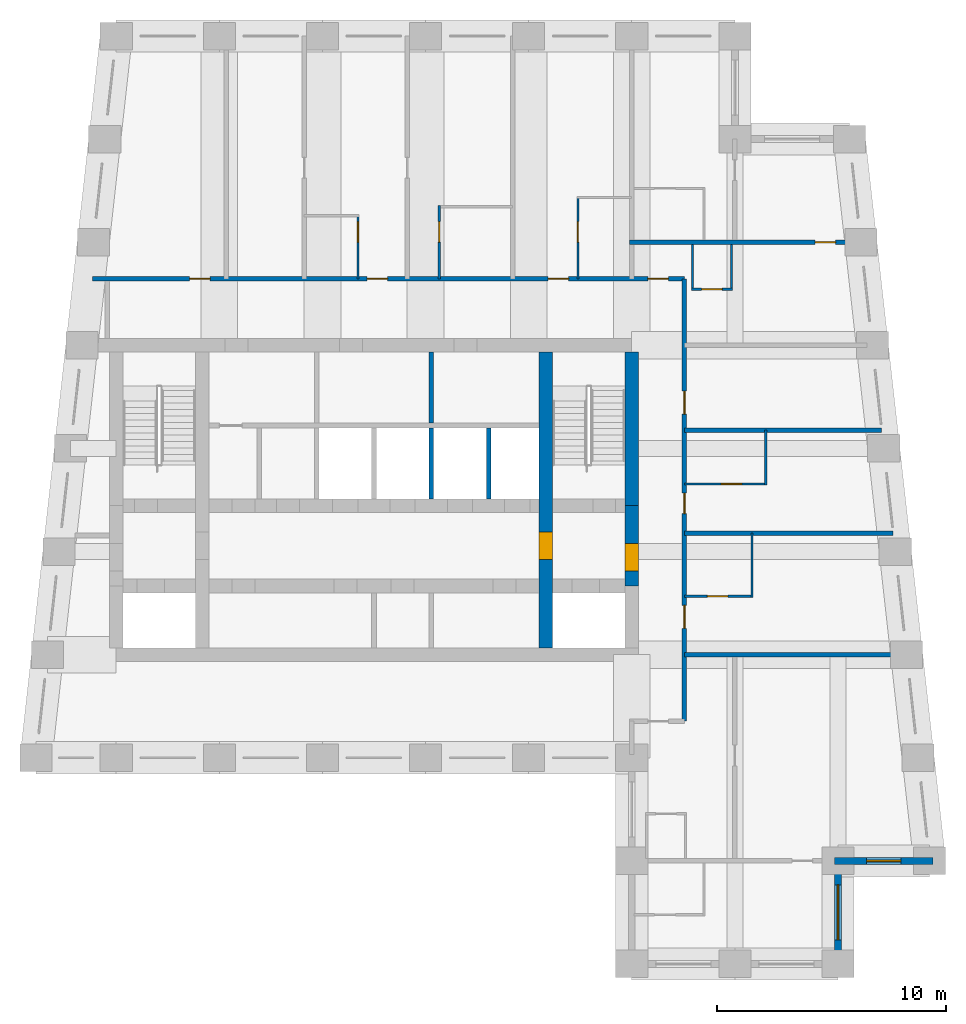
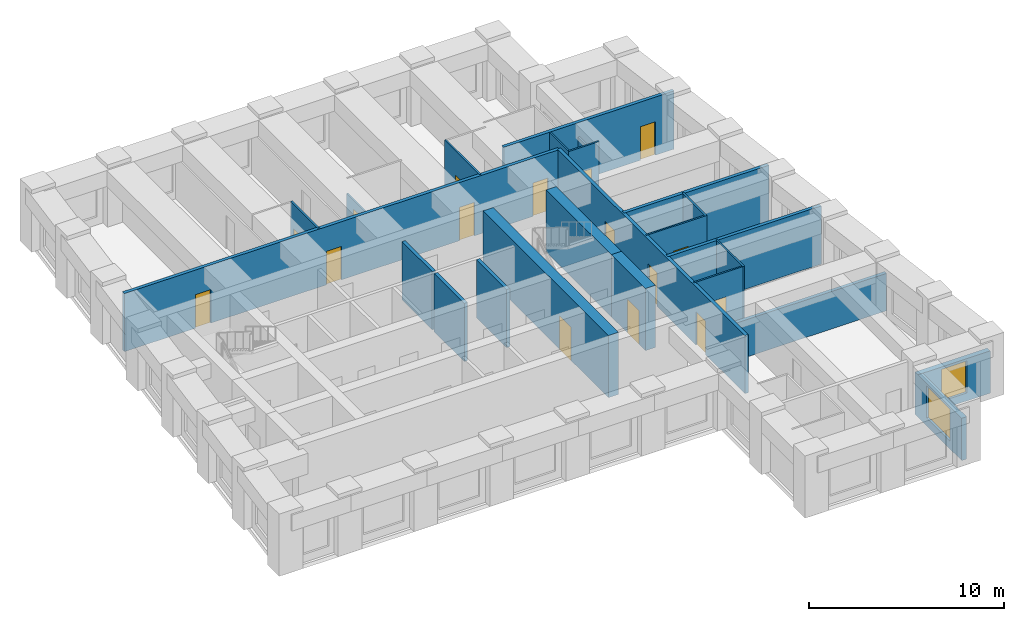
# One storey, part 4 of 7: 24 walls, 16 doors, 2 windows, 18 openings.
"""IFC4 building model written with IfcOpenShell, lengths in metres."""

import ifcopenshell
import ifcopenshell.guid

model = None  # the IFC model being written
_history = None  # IfcOwnerHistory: only IFC2X3 demands one
_inside = {}  # id of a spatial element -> (the spatial element, [elements in it])
_under = {}  # id of a project, library or spatial element -> (it, [spatial elements below it])
_declared = {}  # id of a project -> (the project, [libraries it declares])
_typed = {}  # id of a type object -> (the type object, [elements of that type])
_made_of = {}  # id of a material, layer set ... -> (it, [elements and type objects made of it])


def new_model(schema):
    """Start an empty IFC model of exactly this schema.

    Asked for "IFC4X3", IfcOpenShell would pick the latest addendum, in which some entities
    have other attributes; the version numbers below select the first issue.
    IFC2X3 requires an IfcOwnerHistory on every rooted entity: one is made here for all.
    """
    global model, _history
    if schema == "IFC4X3":
        model = ifcopenshell.file(schema_version=(4, 3, 0, 0))
    else:
        model = ifcopenshell.file(schema=schema)
    _inside.clear()
    _under.clear()
    _declared.clear()
    _typed.clear()
    _made_of.clear()
    _history = None
    if model.schema == "IFC2X3":
        org = make("IfcOrganization", Name="unknown")
        user = make(
            "IfcPersonAndOrganization",
            ThePerson=make("IfcPerson", FamilyName="unknown"),
            TheOrganization=org,
        )
        app = make(
            "IfcApplication",
            ApplicationDeveloper=org,
            Version="unknown",
            ApplicationFullName="unknown",
            ApplicationIdentifier="unknown",
        )
        _history = make(
            "IfcOwnerHistory",
            OwningUser=user,
            OwningApplication=app,
            ChangeAction="ADDED",
            CreationDate=0,
        )
    return model


def make(cls, **values):
    """One entity of the class cls with the attributes given. An attribute that is None is left unset."""
    return model.create_entity(
        cls, **{name: value for name, value in values.items() if value is not None}
    )


def rooted(cls, **values):
    """An entity with a GlobalId (a new one), such as an element, a storey or a relation."""
    return make(cls, GlobalId=ifcopenshell.guid.new(), OwnerHistory=_history, **values)


def si_unit(unit_type, name, prefix=None):
    """IfcSIUnit, for example si_unit("LENGTHUNIT", "METRE", prefix="MILLI")."""
    return make("IfcSIUnit", UnitType=unit_type, Prefix=prefix, Name=name)


def assignment(units):
    """IfcUnitAssignment: the units of a project."""
    return None if units is None else make("IfcUnitAssignment", Units=units)


def point(xyz):
    """IfcCartesianPoint."""
    return None if xyz is None else make("IfcCartesianPoint", Coordinates=xyz)


def direction(xyz):
    """IfcDirection."""
    return None if xyz is None else make("IfcDirection", DirectionRatios=xyz)


def frame(location, z_axis=None, x_axis=None):
    """IfcAxis2Placement3D, a coordinate frame: its origin and axes. An axis left out is left unset."""
    return make(
        "IfcAxis2Placement3D",
        Location=point(location),
        Axis=direction(z_axis),
        RefDirection=direction(x_axis),
    )


def frame_2d(location, x_axis=None):
    """IfcAxis2Placement2D, a coordinate frame in the plane: its origin and x axis."""
    return make(
        "IfcAxis2Placement2D", Location=point(location), RefDirection=direction(x_axis)
    )


def origin():
    """The frame at (0, 0, 0) with its axes left unset."""
    return frame((0.0, 0.0, 0.0))


def place(relative_to, where):
    """IfcLocalPlacement: puts the frame where relative to a parent placement (None: the world)."""
    return make(
        "IfcLocalPlacement", PlacementRelTo=relative_to, RelativePlacement=where
    )


def context(
    kind, dimensions, precision=None, world=None, true_north=None, identifier=None
):
    """IfcGeometricRepresentationContext, for example the 3D "Model" context."""
    return make(
        "IfcGeometricRepresentationContext",
        ContextIdentifier=identifier,
        ContextType=kind,
        CoordinateSpaceDimension=dimensions,
        Precision=precision,
        WorldCoordinateSystem=world,
        TrueNorth=true_north,
    )


def subcontext(parent, identifier, kind, view, scale=None):
    """IfcGeometricRepresentationSubContext, for example "Body" below "Model"."""
    return make(
        "IfcGeometricRepresentationSubContext",
        ContextIdentifier=identifier,
        ContextType=kind,
        ParentContext=parent,
        TargetScale=scale,
        TargetView=view,
    )


def project(units=None, contexts=None):
    """IfcProject with its units and contexts."""
    return rooted(
        "IfcProject",
        Name="project",
        RepresentationContexts=contexts,
        UnitsInContext=assignment(units),
    )


def spatial(cls, under=None, at=None, **own):
    """A site, building, storey or space (cls), placed at a placement, below another one or the project."""
    s = rooted(cls, ObjectPlacement=at, **own)
    if under is not None:
        _under.setdefault(under.id(), (under, []))[1].append(s)
    return s


def profile(cls, at=None, kind="AREA", **sizes):
    """A parametric profile (cls). Its sizes go by their IFC names, for example OverallWidth=200.0."""
    return make(cls, ProfileType=kind, Position=at, **sizes)


def rectangle(**sizes):
    """IfcRectangleProfileDef."""
    return profile("IfcRectangleProfileDef", **sizes)


def extrude(swept, where, along, depth):
    """IfcExtrudedAreaSolid: the profile swept, set in the frame where, extruded along a direction by depth."""
    return make(
        "IfcExtrudedAreaSolid",
        SweptArea=swept,
        Position=where,
        ExtrudedDirection=direction(along),
        Depth=depth,
    )


def shape(context_of_items, identifier, shape_type, items):
    """IfcShapeRepresentation: the items that make up one representation, for example the "Body"."""
    return make(
        "IfcShapeRepresentation",
        ContextOfItems=context_of_items,
        RepresentationIdentifier=identifier,
        RepresentationType=shape_type,
        Items=items,
    )


def material(Name=None, Category=None):
    """IfcMaterial."""
    return make("IfcMaterial", Name=Name, Category=Category)


def layer(
    of_material, thickness, ventilated=None, Name=None, Category=None, Priority=None
):
    """IfcMaterialLayer: one layer of a wall or slab, of a material (None: an air gap)."""
    return make(
        "IfcMaterialLayer",
        Material=of_material,
        LayerThickness=thickness,
        IsVentilated=ventilated,
        Name=Name,
        Category=Category,
        Priority=Priority,
    )


def layer_set(layers, Name=None):
    """IfcMaterialLayerSet."""
    return make("IfcMaterialLayerSet", MaterialLayers=layers, LayerSetName=Name)


def made_of(thing, what):
    """Note that an element or type object is made of a material, layer set ...; save() writes the relation."""
    if what is not None:
        _made_of.setdefault(what.id(), (what, []))[1].append(thing)
    return thing


def type_object(cls, material=None, **own):
    """A type object (cls), such as IfcWallType, which elements share."""
    return made_of(rooted(cls, **own), material)


def element(
    cls,
    number,
    at=None,
    inside=None,
    cuts=None,
    type_object=None,
    material=None,
    context=None,
    identifier="Body",
    shape_type=None,
    held_by="IfcProductDefinitionShape",
    body=None,
    shapes=None,
    **own,
):
    """One element of the class cls, such as IfcWall. Its Tag is "e" and its number.

    at: its placement. inside: the storey or other place that contains it. cuts: it is an
    opening in that element (IfcRelVoidsElement). A single representation is given by context,
    identifier, shape_type and body (its items); several are given by shapes. held_by: the class
    of the entity that holds the representations. save() writes the other relations.
    """
    e = rooted(cls, Tag="e%d" % number, ObjectPlacement=at, **own)
    if body is not None:
        shapes = [shape(context, identifier, shape_type, body)]
    if shapes is not None:
        e.Representation = make(held_by, Representations=shapes)
    if inside is not None:
        _inside.setdefault(inside.id(), (inside, []))[1].append(e)
    if cuts is not None:
        rooted(
            "IfcRelVoidsElement", RelatingBuildingElement=cuts, RelatedOpeningElement=e
        )
    if type_object is not None:
        _typed.setdefault(type_object.id(), (type_object, []))[1].append(e)
    return made_of(e, material)


def fill(opening, filler):
    """IfcRelFillsElement: the door or window that sits in an opening."""
    return rooted(
        "IfcRelFillsElement",
        RelatingOpeningElement=opening,
        RelatedBuildingElement=filler,
    )


def aggregate(whole, parts):
    """IfcRelAggregates: a whole, such as a stair, and the parts it consists of."""
    return rooted("IfcRelAggregates", RelatingObject=whole, RelatedObjects=parts)


def save(model, path):
    """Write the relations noted so far, then the file.

    IfcRelAggregates (storeys below a building ...), IfcRelContainedInSpatialStructure (elements
    in a storey), IfcRelDefinesByType, IfcRelAssociatesMaterial and IfcRelDeclares: one each for
    every whole, place, type object, material and project.
    """
    for whole, parts in _under.values():
        aggregate(whole, parts)
    for where, things in _inside.values():
        rooted(
            "IfcRelContainedInSpatialStructure",
            RelatedElements=things,
            RelatingStructure=where,
        )
    for kind, things in _typed.values():
        rooted("IfcRelDefinesByType", RelatedObjects=things, RelatingType=kind)
    for what, things in _made_of.values():
        rooted("IfcRelAssociatesMaterial", RelatedObjects=things, RelatingMaterial=what)
    for by, libraries in _declared.values():
        rooted("IfcRelDeclares", RelatingContext=by, RelatedDefinitions=libraries)
    model.write(path)


model = new_model("IFC4")

# Units and contexts
model_context = context("Model", 3, precision=1e-05, world=origin(), true_north=direction((0.0, 1.0)))
body_context = subcontext(model_context, "Body", "Model", "MODEL_VIEW")
ifc_project = project(units=[si_unit("LENGTHUNIT", "METRE"), si_unit("AREAUNIT", "SQUARE_METRE"), si_unit("VOLUMEUNIT", "CUBIC_METRE"), si_unit("PLANEANGLEUNIT", "RADIAN"), si_unit("MASSUNIT", "GRAM", prefix="KILO")], contexts=[model_context])

# Site, building, storey
site_placement = place(None, origin())
site = spatial("IfcSite", under=ifc_project, at=site_placement, CompositionType="ELEMENT")
building_placement = place(site_placement, origin())
building = spatial("IfcBuilding", under=site, at=building_placement, Name="Kilele Tower Hotel", CompositionType="ELEMENT")
storey_placement = place(building_placement, frame((0.0, 0.0, 254.60009765625)))
storey = spatial("IfcBuildingStorey", under=building, at=storey_placement, Name="L65", CompositionType="ELEMENT", Elevation=254.60009765625)

# Wall
ifc_material_1 = material(Name="Moisture-resistant board")
ifc_layer_1 = layer(ifc_material_1, 0.10009765625)
ifc_layer_set_1 = layer_set([ifc_layer_1], Name="Moisture-resistant board")
wall_type_1 = type_object("IfcWallType", Name="Bathroom partition 100", PredefinedType="PLUMBINGWALL", material=ifc_layer_set_1)
wall_1_placement = place(storey_placement, frame((41.25, 16.0, 0.0), z_axis=(0.0, 0.0, 1.0), x_axis=(0.0, 1.0, 0.0)))
element("IfcWall", 1, at=wall_1_placement, inside=storey, type_object=wall_type_1, Name="Bathroom partition 100 L65", PredefinedType="PLUMBINGWALL", context=body_context, shape_type="SweptSolid", body=[
    extrude(rectangle(XDim=2.800048828125, YDim=0.10009765625, at=frame_2d((1.39990234375, 0.0))), origin(), (0.0, 0.0, 1.0), 3.64990234375),
])

# Wall, opening, door
wall_2_placement = place(storey_placement, frame((38.300048828125, 16.050048828125, 0.0), z_axis=(0.0, 0.0, 1.0), x_axis=(1.0, 0.0, 0.0)))
wall_2 = element("IfcWall", 2, at=wall_2_placement, inside=storey, type_object=wall_type_1, Name="Bathroom partition 100 L65", PredefinedType="PLUMBINGWALL", context=body_context, shape_type="SweptSolid", body=[
    extrude(rectangle(XDim=3.0, YDim=0.10009765625, at=frame_2d((1.5, 0.0))), origin(), (0.0, 0.0, 1.0), 3.64990234375),
])
opening_1_placement = place(wall_2_placement, frame((1.89990234375, 0.0, 0.0), z_axis=(0.0, 0.0, 1.0), x_axis=(-1.0, 0.0, 0.0)))
opening_1 = element("IfcOpeningElement", 3, at=opening_1_placement, cuts=wall_2, Name="Opening D2A", PredefinedType="OPENING", context=body_context, shape_type="SweptSolid", body=[
    extrude(rectangle(XDim=0.89990234375, YDim=2.10009765625, at=frame_2d((0.449951171875, 1.050048828125))), frame((0.0, 0.06005859375, 0.0), z_axis=(0.0, -1.0, 0.0), x_axis=(1.0, 0.0, 0.0)), (0.0, 0.0, 1.0), 0.1201171875),
])
ifc_material_2 = material(Name="Timber door leaf in hardwood frame", Category="wood")
door_type_1 = type_object("IfcDoorType", Name="Bathroom door 900", OperationType="SINGLE_SWING_LEFT", PredefinedType="DOOR", material=ifc_material_2)
door_1_placement = place(opening_1_placement, origin())
door_1 = element("IfcDoor", 4, at=door_1_placement, inside=storey, type_object=door_type_1, Name="Bathroom door 6502B", OperationType="SINGLE_SWING_RIGHT", OverallHeight=2.10009765625, OverallWidth=0.89990234375, PredefinedType="DOOR", context=body_context, shape_type="SweptSolid", body=[
    extrude(rectangle(XDim=0.89990234375, YDim=2.10009765625, at=frame_2d((0.449951171875, 1.050048828125))), frame((0.0, 0.02490234375, 0.0), z_axis=(0.0, -1.0, 0.0), x_axis=(1.0, 0.0, 0.0)), (0.0, 0.0, 1.0), 0.050048828125),
])
fill(opening_1, door_1)

# Wall
wall_3_placement = place(storey_placement, frame((41.85009765625, 20.89990234375, 0.0), z_axis=(0.0, 0.0, 1.0), x_axis=(0.0, 1.0, 0.0)))
element("IfcWall", 5, at=wall_3_placement, inside=storey, type_object=wall_type_1, Name="Bathroom partition 100 L65", PredefinedType="PLUMBINGWALL", context=body_context, shape_type="SweptSolid", body=[
    extrude(rectangle(XDim=2.400146484375, YDim=0.10009765625, at=frame_2d((1.2001953125, 0.0))), origin(), (0.0, 0.0, 1.0), 3.64990234375),
])

# Wall, opening, door
wall_4_placement = place(storey_placement, frame((38.300048828125, 20.949951171875, 0.0), z_axis=(0.0, 0.0, 1.0), x_axis=(1.0, 0.0, 0.0)))
wall_4 = element("IfcWall", 6, at=wall_4_placement, inside=storey, type_object=wall_type_1, Name="Bathroom partition 100 L65", PredefinedType="PLUMBINGWALL", context=body_context, shape_type="SweptSolid", body=[
    extrude(rectangle(XDim=3.599853515625, YDim=0.10009765625, at=frame_2d((1.7998046875, 0.0))), origin(), (0.0, 0.0, 1.0), 3.64990234375),
])
opening_2_placement = place(wall_4_placement, frame((2.5, 0.0, 0.0), z_axis=(0.0, 0.0, 1.0), x_axis=(-1.0, 0.0, 0.0)))
opening_2 = element("IfcOpeningElement", 7, at=opening_2_placement, cuts=wall_4, Name="Opening D2A", PredefinedType="OPENING", context=body_context, shape_type="SweptSolid", body=[
    extrude(rectangle(XDim=0.89990234375, YDim=2.10009765625, at=frame_2d((0.449951171875, 1.050048828125))), frame((0.0, 0.06005859375, 0.0), z_axis=(0.0, -1.0, 0.0), x_axis=(1.0, 0.0, 0.0)), (0.0, 0.0, 1.0), 0.1201171875),
])
door_2_placement = place(opening_2_placement, origin())
door_2 = element("IfcDoor", 8, at=door_2_placement, inside=storey, type_object=door_type_1, Name="Bathroom door 6503B", OperationType="SINGLE_SWING_RIGHT", OverallHeight=2.10009765625, OverallWidth=0.89990234375, PredefinedType="DOOR", context=body_context, shape_type="SweptSolid", body=[
    extrude(rectangle(XDim=0.89990234375, YDim=2.10009765625, at=frame_2d((0.449951171875, 1.050048828125))), frame((0.0, 0.02490234375, 0.0), z_axis=(0.0, -1.0, 0.0), x_axis=(1.0, 0.0, 0.0)), (0.0, 0.0, 1.0), 0.050048828125),
])
fill(opening_2, door_2)

wall_5_placement = place(storey_placement, frame((24.050048828125, 29.89990234375, 0.0), z_axis=(0.0, 0.0, 1.0), x_axis=(0.0, 1.0, 0.0)))
wall_5 = element("IfcWall", 9, at=wall_5_placement, inside=storey, type_object=wall_type_1, Name="Bathroom partition 100 L65", PredefinedType="PLUMBINGWALL", context=body_context, shape_type="SweptSolid", body=[
    extrude(rectangle(XDim=2.800048828125, YDim=0.10009765625, at=frame_2d((1.39990234375, 0.0))), origin(), (0.0, 0.0, 1.0), 3.64990234375),
])
opening_3_placement = place(wall_5_placement, frame((2.5, 0.0, 0.0), z_axis=(0.0, 0.0, 1.0), x_axis=(-1.0, 0.0, 0.0)))
opening_3 = element("IfcOpeningElement", 10, at=opening_3_placement, cuts=wall_5, Name="Opening D2A", PredefinedType="OPENING", context=body_context, shape_type="SweptSolid", body=[
    extrude(rectangle(XDim=0.89990234375, YDim=2.10009765625, at=frame_2d((0.449951171875, 1.050048828125))), frame((0.0, 0.06005859375, 0.0), z_axis=(0.0, -1.0, 0.0), x_axis=(1.0, 0.0, 0.0)), (0.0, 0.0, 1.0), 0.1201171875),
])
door_3_placement = place(opening_3_placement, origin())
door_3 = element("IfcDoor", 11, at=door_3_placement, inside=storey, type_object=door_type_1, Name="Bathroom door 6507B", OperationType="SINGLE_SWING_RIGHT", OverallHeight=2.10009765625, OverallWidth=0.89990234375, PredefinedType="DOOR", context=body_context, shape_type="SweptSolid", body=[
    extrude(rectangle(XDim=0.89990234375, YDim=2.10009765625, at=frame_2d((0.449951171875, 1.050048828125))), frame((0.0, 0.02490234375, 0.0), z_axis=(0.0, -1.0, 0.0), x_axis=(1.0, 0.0, 0.0)), (0.0, 0.0, 1.0), 0.050048828125),
])
fill(opening_3, door_3)

wall_6_placement = place(storey_placement, frame((27.60009765625, 29.89990234375, 0.0), z_axis=(0.0, 0.0, 1.0), x_axis=(0.0, 1.0, 0.0)))
wall_6 = element("IfcWall", 12, at=wall_6_placement, inside=storey, type_object=wall_type_1, Name="Bathroom partition 100 L65", PredefinedType="PLUMBINGWALL", context=body_context, shape_type="SweptSolid", body=[
    extrude(rectangle(XDim=3.2001953125, YDim=0.10009765625, at=frame_2d((1.60009765625, 0.0))), origin(), (0.0, 0.0, 1.0), 2.64990234375),
])
opening_4_placement = place(wall_6_placement, frame((1.60009765625, 0.0, 0.0)))
opening_4 = element("IfcOpeningElement", 13, at=opening_4_placement, cuts=wall_6, Name="Opening D2A", PredefinedType="OPENING", context=body_context, shape_type="SweptSolid", body=[
    extrude(rectangle(XDim=0.89990234375, YDim=2.10009765625, at=frame_2d((0.449951171875, 1.050048828125))), frame((0.0, 0.06005859375, 0.0), z_axis=(0.0, -1.0, 0.0), x_axis=(1.0, 0.0, 0.0)), (0.0, 0.0, 1.0), 0.1201171875),
])
door_4_placement = place(opening_4_placement, origin())
door_4 = element("IfcDoor", 14, at=door_4_placement, inside=storey, type_object=door_type_1, Name="Bathroom door 6508B", OperationType="SINGLE_SWING_LEFT", OverallHeight=2.10009765625, OverallWidth=0.89990234375, PredefinedType="DOOR", context=body_context, shape_type="SweptSolid", body=[
    extrude(rectangle(XDim=0.89990234375, YDim=2.10009765625, at=frame_2d((0.449951171875, 1.050048828125))), frame((0.0, 0.02490234375, 0.0), z_axis=(0.0, -1.0, 0.0), x_axis=(1.0, 0.0, 0.0)), (0.0, 0.0, 1.0), 0.050048828125),
])
fill(opening_4, door_4)

wall_7_placement = place(storey_placement, frame((33.64990234375, 29.89990234375, 0.0), z_axis=(0.0, 0.0, 1.0), x_axis=(0.0, 1.0, 0.0)))
wall_7 = element("IfcWall", 15, at=wall_7_placement, inside=storey, type_object=wall_type_1, Name="Bathroom partition 100 L65", PredefinedType="PLUMBINGWALL", context=body_context, shape_type="SweptSolid", body=[
    extrude(rectangle(XDim=3.60009765625, YDim=0.10009765625, at=frame_2d((1.800048828125, 0.0))), origin(), (0.0, 0.0, 1.0), 3.64990234375),
])
opening_5_placement = place(wall_7_placement, frame((1.60009765625, 0.0, 0.0)))
opening_5 = element("IfcOpeningElement", 16, at=opening_5_placement, cuts=wall_7, Name="Opening D2A", PredefinedType="OPENING", context=body_context, shape_type="SweptSolid", body=[
    extrude(rectangle(XDim=0.89990234375, YDim=2.10009765625, at=frame_2d((0.449951171875, 1.050048828125))), frame((0.0, 0.06005859375, 0.0), z_axis=(0.0, -1.0, 0.0), x_axis=(1.0, 0.0, 0.0)), (0.0, 0.0, 1.0), 0.1201171875),
])
door_5_placement = place(opening_5_placement, origin())
door_5 = element("IfcDoor", 17, at=door_5_placement, inside=storey, type_object=door_type_1, Name="Bathroom door 6509B", OperationType="SINGLE_SWING_LEFT", OverallHeight=2.10009765625, OverallWidth=0.89990234375, PredefinedType="DOOR", context=body_context, shape_type="SweptSolid", body=[
    extrude(rectangle(XDim=0.89990234375, YDim=2.10009765625, at=frame_2d((0.449951171875, 1.050048828125))), frame((0.0, 0.02490234375, 0.0), z_axis=(0.0, -1.0, 0.0), x_axis=(1.0, 0.0, 0.0)), (0.0, 0.0, 1.0), 0.050048828125),
])
fill(opening_5, door_5)

# Walls
wall_8_placement = place(storey_placement, frame((40.35009765625, 31.39990234375, 0.0), z_axis=(0.0, 0.0, 1.0), x_axis=(0.0, -1.0, 0.0)))
element("IfcWall", 18, at=wall_8_placement, inside=storey, type_object=wall_type_1, Name="Bathroom partition 100 L65", PredefinedType="PLUMBINGWALL", context=body_context, shape_type="SweptSolid", body=[
    extrude(rectangle(XDim=2.0, YDim=0.10009765625, at=frame_2d((1.0, 0.0))), origin(), (0.0, 0.0, 1.0), 2.75),
])
wall_9_placement = place(storey_placement, frame((38.64990234375, 31.39990234375, 0.0), z_axis=(0.0, 0.0, 1.0), x_axis=(0.0, -1.0, 0.0)))
element("IfcWall", 19, at=wall_9_placement, inside=storey, type_object=wall_type_1, Name="Bathroom partition 100 L65", PredefinedType="PLUMBINGWALL", context=body_context, shape_type="SweptSolid", body=[
    extrude(rectangle(XDim=2.0, YDim=0.10009765625, at=frame_2d((1.0, 0.0))), origin(), (0.0, 0.0, 1.0), 3.64990234375),
])

# Wall, opening, door
wall_10_placement = place(storey_placement, frame((38.60009765625, 29.449951171875, 0.0), z_axis=(0.0, 0.0, 1.0), x_axis=(1.0, 0.0, 0.0)))
wall_10 = element("IfcWall", 20, at=wall_10_placement, inside=storey, type_object=wall_type_1, Name="Bathroom partition 100 L65", PredefinedType="PLUMBINGWALL", context=body_context, shape_type="SweptSolid", body=[
    extrude(rectangle(XDim=1.7998046875, YDim=0.10009765625, at=frame_2d((0.89990234375, 0.0))), origin(), (0.0, 0.0, 1.0), 3.64990234375),
])
opening_6_placement = place(wall_10_placement, frame((1.349853515625, 0.0, 0.0), z_axis=(0.0, 0.0, 1.0), x_axis=(-1.0, 0.0, 0.0)))
opening_6 = element("IfcOpeningElement", 21, at=opening_6_placement, cuts=wall_10, Name="Opening D2A", PredefinedType="OPENING", context=body_context, shape_type="SweptSolid", body=[
    extrude(rectangle(XDim=0.89990234375, YDim=2.10009765625, at=frame_2d((0.449951171875, 1.050048828125))), frame((0.0, 0.06005859375, 0.0), z_axis=(0.0, -1.0, 0.0), x_axis=(1.0, 0.0, 0.0)), (0.0, 0.0, 1.0), 0.1201171875),
])
door_6_placement = place(opening_6_placement, origin())
door_6 = element("IfcDoor", 22, at=door_6_placement, inside=storey, type_object=door_type_1, Name="Bathroom door 6513P", OperationType="SINGLE_SWING_RIGHT", OverallHeight=2.10009765625, OverallWidth=0.89990234375, PredefinedType="DOOR", context=body_context, shape_type="SweptSolid", body=[
    extrude(rectangle(XDim=0.89990234375, YDim=2.10009765625, at=frame_2d((0.449951171875, 1.050048828125))), frame((0.0, 0.02490234375, 0.0), z_axis=(0.0, -1.0, 0.0), x_axis=(1.0, 0.0, 0.0)), (0.0, 0.0, 1.0), 0.050048828125),
])
fill(opening_6, door_6)

ifc_material_3 = material(Name="Concrete C60/75", Category="concrete")
ifc_layer_2 = layer(ifc_material_3, 0.60009765625)
ifc_layer_set_2 = layer_set([ifc_layer_2], Name="Concrete C60/75")
wall_type_2 = type_object("IfcWallType", Name="Core wall 600 C60/75", PredefinedType="SHEAR", material=ifc_layer_set_2)
wall_11_placement = place(storey_placement, frame((32.25, 13.800048828125, 0.0), z_axis=(0.0, 0.0, 1.0), x_axis=(0.0, 1.0, 0.0)))
wall_11 = element("IfcWall", 23, at=wall_11_placement, inside=storey, type_object=wall_type_2, Name="Core wall IE L65", PredefinedType="SHEAR", context=body_context, shape_type="SweptSolid", body=[
    extrude(rectangle(XDim=12.89990234375, YDim=0.60009765625, at=frame_2d((6.449951171875, 0.0))), origin(), (0.0, 0.0, 1.0), 3.89990234375),
])
opening_7_placement = place(wall_11_placement, frame((5.050048828125, 0.0, 0.0), z_axis=(0.0, 0.0, 1.0), x_axis=(-1.0, 0.0, 0.0)))
opening_7 = element("IfcOpeningElement", 24, at=opening_7_placement, cuts=wall_11, Name="Opening D4", PredefinedType="OPENING", context=body_context, shape_type="SweptSolid", body=[
    extrude(rectangle(XDim=1.199951171875, YDim=2.10009765625, at=frame_2d((0.60009765625, 1.050048828125))), frame((0.0, 0.31005859375, 0.0), z_axis=(0.0, -1.0, 0.0), x_axis=(1.0, 0.0, 0.0)), (0.0, 0.0, 1.0), 0.6201171875),
])
ifc_material_4 = material(Name="Timber door leaf in hardwood frame", Category="wood")
door_type_2 = type_object("IfcDoorType", Name="Firefighting lobby door 1200", OperationType="SINGLE_SWING_LEFT", PredefinedType="DOOR", material=ifc_material_4)
door_7_placement = place(opening_7_placement, origin())
door_7 = element("IfcDoor", 25, at=door_7_placement, inside=storey, type_object=door_type_2, Name="Lobby door L65", OperationType="SINGLE_SWING_RIGHT", OverallHeight=2.10009765625, OverallWidth=1.199951171875, PredefinedType="DOOR", context=body_context, shape_type="SweptSolid", body=[
    extrude(rectangle(XDim=1.199951171875, YDim=2.10009765625, at=frame_2d((0.60009765625, 1.050048828125))), frame((0.0, 0.2998046875, 0.0), z_axis=(0.0, -1.0, 0.0), x_axis=(1.0, 0.0, 0.0)), (0.0, 0.0, 1.0), 0.599609375),
])
fill(opening_7, door_7)

wall_12_placement = place(storey_placement, frame((36.0, 16.5, 0.0), z_axis=(0.0, 0.0, 1.0), x_axis=(0.0, 1.0, 0.0)))
wall_12 = element("IfcWall", 26, at=wall_12_placement, inside=storey, type_object=wall_type_2, Name="Core wall E2 L65", PredefinedType="SHEAR", context=body_context, shape_type="SweptSolid", body=[
    extrude(rectangle(XDim=3.5, YDim=0.60009765625, at=frame_2d((1.75, 0.0))), origin(), (0.0, 0.0, 1.0), 3.89990234375),
])
opening_8_placement = place(wall_12_placement, frame((0.64990234375, 0.0, 0.0)))
opening_8 = element("IfcOpeningElement", 27, at=opening_8_placement, cuts=wall_12, Name="Opening D4", PredefinedType="OPENING", context=body_context, shape_type="SweptSolid", body=[
    extrude(rectangle(XDim=1.199951171875, YDim=2.10009765625, at=frame_2d((0.60009765625, 1.050048828125))), frame((0.0, 0.31005859375, 0.0), z_axis=(0.0, -1.0, 0.0), x_axis=(1.0, 0.0, 0.0)), (0.0, 0.0, 1.0), 0.6201171875),
])
door_8_placement = place(opening_8_placement, origin())
door_8 = element("IfcDoor", 28, at=door_8_placement, inside=storey, type_object=door_type_2, Name="Lobby door L65", OperationType="SINGLE_SWING_LEFT", OverallHeight=2.10009765625, OverallWidth=1.199951171875, PredefinedType="DOOR", context=body_context, shape_type="SweptSolid", body=[
    extrude(rectangle(XDim=1.199951171875, YDim=2.10009765625, at=frame_2d((0.60009765625, 1.050048828125))), frame((0.0, 0.2998046875, 0.0), z_axis=(0.0, -1.0, 0.0), x_axis=(1.0, 0.0, 0.0)), (0.0, 0.0, 1.0), 0.599609375),
])
fill(opening_8, door_8)

# Wall
wall_13_placement = place(storey_placement, frame((36.0, 20.0, 0.0), z_axis=(0.0, 0.0, 1.0), x_axis=(0.0, 1.0, 0.0)))
element("IfcWall", 29, at=wall_13_placement, inside=storey, type_object=wall_type_2, Name="Core wall E3 L65", PredefinedType="SHEAR", context=body_context, shape_type="SweptSolid", body=[
    extrude(rectangle(XDim=6.699951171875, YDim=0.60009765625, at=frame_2d((3.35009765625, 0.0))), origin(), (0.0, 0.0, 1.0), 3.89990234375),
])

# Wall, openings, doors
ifc_material_5 = material(Name="Blockwork, plastered both sides", Category="masonry")
ifc_layer_3 = layer(ifc_material_5, 0.199951171875)
ifc_layer_set_3 = layer_set([ifc_layer_3], Name="Blockwork, plastered both sides")
wall_type_3 = type_object("IfcWallType", Name="Corridor wall 200", PredefinedType="PARTITIONING", material=ifc_layer_set_3)
wall_14_placement = place(storey_placement, frame((12.47314453125, 29.89990234375, 0.0), z_axis=(0.0, 0.0, 1.0), x_axis=(1.0, 0.0, 0.0)))
wall_14 = element("IfcWall", 30, at=wall_14_placement, inside=storey, type_object=wall_type_3, Name="Corridor wall 200 L65", PredefinedType="PARTITIONING", context=body_context, shape_type="SweptSolid", body=[
    extrude(rectangle(XDim=25.826904296875, YDim=0.199951171875, at=frame_2d((12.91357421875, 0.0))), origin(), (0.0, 0.0, 1.0), 3.64990234375),
])
opening_9_placement = place(wall_14_placement, frame((4.226806640625, 0.0, 0.0)))
opening_9 = element("IfcOpeningElement", 31, at=opening_9_placement, cuts=wall_14, Name="Opening D1", PredefinedType="OPENING", context=body_context, shape_type="SweptSolid", body=[
    extrude(rectangle(XDim=0.89990234375, YDim=2.10009765625, at=frame_2d((0.449951171875, 1.050048828125))), frame((0.0, 0.10986328125, 0.0), z_axis=(0.0, -1.0, 0.0), x_axis=(1.0, 0.0, 0.0)), (0.0, 0.0, 1.0), 0.219970703125),
])
opening_10_placement = place(wall_14_placement, frame((11.976806640625, 0.0, 0.0)))
opening_10 = element("IfcOpeningElement", 32, at=opening_10_placement, cuts=wall_14, Name="Opening D1", PredefinedType="OPENING", context=body_context, shape_type="SweptSolid", body=[
    extrude(rectangle(XDim=0.89990234375, YDim=2.10009765625, at=frame_2d((0.449951171875, 1.050048828125))), frame((0.0, 0.10986328125, 0.0), z_axis=(0.0, -1.0, 0.0), x_axis=(1.0, 0.0, 0.0)), (0.0, 0.0, 1.0), 0.219970703125),
])
opening_11_placement = place(wall_14_placement, frame((19.876953125, 0.0, 0.0)))
opening_11 = element("IfcOpeningElement", 33, at=opening_11_placement, cuts=wall_14, Name="Opening D1", PredefinedType="OPENING", context=body_context, shape_type="SweptSolid", body=[
    extrude(rectangle(XDim=0.89990234375, YDim=2.10009765625, at=frame_2d((0.449951171875, 1.050048828125))), frame((0.0, 0.10986328125, 0.0), z_axis=(0.0, -1.0, 0.0), x_axis=(1.0, 0.0, 0.0)), (0.0, 0.0, 1.0), 0.219970703125),
])
opening_12_placement = place(wall_14_placement, frame((24.226806640625, 0.0, 0.0)))
opening_12 = element("IfcOpeningElement", 34, at=opening_12_placement, cuts=wall_14, Name="Opening D1", PredefinedType="OPENING", context=body_context, shape_type="SweptSolid", body=[
    extrude(rectangle(XDim=0.89990234375, YDim=2.10009765625, at=frame_2d((0.449951171875, 1.050048828125))), frame((0.0, 0.10986328125, 0.0), z_axis=(0.0, -1.0, 0.0), x_axis=(1.0, 0.0, 0.0)), (0.0, 0.0, 1.0), 0.219970703125),
])
ifc_material_6 = material(Name="Timber door leaf in hardwood frame", Category="wood")
door_type_3 = type_object("IfcDoorType", Name="Guest room entrance door 900", OperationType="SINGLE_SWING_LEFT", PredefinedType="DOOR", material=ifc_material_6)
door_9_placement = place(opening_9_placement, origin())
door_9 = element("IfcDoor", 35, at=door_9_placement, inside=storey, type_object=door_type_3, Name="Room entrance 6505", OperationType="SINGLE_SWING_RIGHT", OverallHeight=2.10009765625, OverallWidth=0.89990234375, PredefinedType="DOOR", context=body_context, shape_type="SweptSolid", body=[
    extrude(rectangle(XDim=0.89990234375, YDim=2.10009765625, at=frame_2d((0.449951171875, 1.050048828125))), frame((0.0, 0.02490234375, 0.0), z_axis=(0.0, -1.0, 0.0), x_axis=(1.0, 0.0, 0.0)), (0.0, 0.0, 1.0), 0.050048828125),
])
fill(opening_9, door_9)
door_10_placement = place(opening_10_placement, origin())
door_10 = element("IfcDoor", 36, at=door_10_placement, inside=storey, type_object=door_type_3, Name="Room entrance 6507", OperationType="SINGLE_SWING_LEFT", OverallHeight=2.10009765625, OverallWidth=0.89990234375, PredefinedType="DOOR", context=body_context, shape_type="SweptSolid", body=[
    extrude(rectangle(XDim=0.89990234375, YDim=2.10009765625, at=frame_2d((0.449951171875, 1.050048828125))), frame((0.0, 0.02490234375, 0.0), z_axis=(0.0, -1.0, 0.0), x_axis=(1.0, 0.0, 0.0)), (0.0, 0.0, 1.0), 0.050048828125),
])
fill(opening_10, door_10)
door_11_placement = place(opening_11_placement, origin())
door_11 = element("IfcDoor", 37, at=door_11_placement, inside=storey, type_object=door_type_3, Name="Room entrance 6509", OperationType="SINGLE_SWING_RIGHT", OverallHeight=2.10009765625, OverallWidth=0.89990234375, PredefinedType="DOOR", context=body_context, shape_type="SweptSolid", body=[
    extrude(rectangle(XDim=0.89990234375, YDim=2.10009765625, at=frame_2d((0.449951171875, 1.050048828125))), frame((0.0, 0.02490234375, 0.0), z_axis=(0.0, -1.0, 0.0), x_axis=(1.0, 0.0, 0.0)), (0.0, 0.0, 1.0), 0.050048828125),
])
fill(opening_11, door_11)
door_12_placement = place(opening_12_placement, origin())
door_12 = element("IfcDoor", 38, at=door_12_placement, inside=storey, type_object=door_type_3, Name="Room entrance 6513", OperationType="SINGLE_SWING_LEFT", OverallHeight=2.10009765625, OverallWidth=0.89990234375, PredefinedType="DOOR", context=body_context, shape_type="SweptSolid", body=[
    extrude(rectangle(XDim=0.89990234375, YDim=2.10009765625, at=frame_2d((0.449951171875, 1.050048828125))), frame((0.0, 0.02490234375, 0.0), z_axis=(0.0, -1.0, 0.0), x_axis=(1.0, 0.0, 0.0)), (0.0, 0.0, 1.0), 0.050048828125),
])
fill(opening_12, door_12)

wall_15_placement = place(storey_placement, frame((38.300048828125, 10.60009765625, 0.0), z_axis=(0.0, 0.0, 1.0), x_axis=(0.0, 1.0, 0.0)))
wall_15 = element("IfcWall", 39, at=wall_15_placement, inside=storey, type_object=wall_type_3, Name="Corridor wall 200 L65", PredefinedType="PARTITIONING", context=body_context, shape_type="SweptSolid", body=[
    extrude(rectangle(XDim=19.2998046875, YDim=0.199951171875, at=frame_2d((9.64990234375, 0.0))), origin(), (0.0, 0.0, 1.0), 3.64990234375),
])
opening_13_placement = place(wall_15_placement, frame((5.050048828125, 0.0, 0.0), z_axis=(0.0, 0.0, 1.0), x_axis=(-1.0, 0.0, 0.0)))
opening_13 = element("IfcOpeningElement", 40, at=opening_13_placement, cuts=wall_15, Name="Opening D1A", PredefinedType="OPENING", context=body_context, shape_type="SweptSolid", body=[
    extrude(rectangle(XDim=1.0, YDim=2.10009765625, at=frame_2d((0.5, 1.050048828125))), frame((0.0, 0.10986328125, 0.0), z_axis=(0.0, -1.0, 0.0), x_axis=(1.0, 0.0, 0.0)), (0.0, 0.0, 1.0), 0.219970703125),
])
opening_14_placement = place(wall_15_placement, frame((9.949951171875, 0.0, 0.0), z_axis=(0.0, 0.0, 1.0), x_axis=(-1.0, 0.0, 0.0)))
opening_14 = element("IfcOpeningElement", 41, at=opening_14_placement, cuts=wall_15, Name="Opening D1", PredefinedType="OPENING", context=body_context, shape_type="SweptSolid", body=[
    extrude(rectangle(XDim=0.89990234375, YDim=2.10009765625, at=frame_2d((0.449951171875, 1.050048828125))), frame((0.0, 0.10986328125, 0.0), z_axis=(0.0, -1.0, 0.0), x_axis=(1.0, 0.0, 0.0)), (0.0, 0.0, 1.0), 0.219970703125),
])
opening_15_placement = place(wall_15_placement, frame((14.39990234375, 0.0, 0.0), z_axis=(0.0, 0.0, 1.0), x_axis=(-1.0, 0.0, 0.0)))
opening_15 = element("IfcOpeningElement", 42, at=opening_15_placement, cuts=wall_15, Name="Opening D8", PredefinedType="OPENING", context=body_context, shape_type="SweptSolid", body=[
    extrude(rectangle(XDim=1.0, YDim=2.10009765625, at=frame_2d((0.5, 1.050048828125))), frame((0.0, 0.10986328125, 0.0), z_axis=(0.0, -1.0, 0.0), x_axis=(1.0, 0.0, 0.0)), (0.0, 0.0, 1.0), 0.219970703125),
])
ifc_material_7 = material(Name="Timber door leaf in hardwood frame", Category="wood")
door_type_4 = type_object("IfcDoorType", Name="Door 1000", OperationType="SINGLE_SWING_LEFT", PredefinedType="DOOR", material=ifc_material_7)
door_13_placement = place(opening_15_placement, origin())
door_13 = element("IfcDoor", 43, at=door_13_placement, inside=storey, type_object=door_type_4, Name="Room entrance 6504", OperationType="SINGLE_SWING_RIGHT", OverallHeight=2.10009765625, OverallWidth=1.0, PredefinedType="DOOR", context=body_context, shape_type="SweptSolid", body=[
    extrude(rectangle(XDim=1.0, YDim=2.10009765625, at=frame_2d((0.5, 1.050048828125))), frame((0.0, 0.02490234375, 0.0), z_axis=(0.0, -1.0, 0.0), x_axis=(1.0, 0.0, 0.0)), (0.0, 0.0, 1.0), 0.050048828125),
])
fill(opening_15, door_13)
ifc_material_8 = material(Name="Timber door leaf in hardwood frame", Category="wood")
door_type_5 = type_object("IfcDoorType", Name="Guest room entrance door 1000", OperationType="SINGLE_SWING_LEFT", PredefinedType="DOOR", material=ifc_material_8)
door_14_placement = place(opening_13_placement, origin())
door_14 = element("IfcDoor", 44, at=door_14_placement, inside=storey, type_object=door_type_5, Name="Room entrance 6502", OperationType="SINGLE_SWING_LEFT", OverallHeight=2.10009765625, OverallWidth=1.0, PredefinedType="DOOR", context=body_context, shape_type="SweptSolid", body=[
    extrude(rectangle(XDim=1.0, YDim=2.10009765625, at=frame_2d((0.5, 1.050048828125))), frame((0.0, 0.02490234375, 0.0), z_axis=(0.0, -1.0, 0.0), x_axis=(1.0, 0.0, 0.0)), (0.0, 0.0, 1.0), 0.050048828125),
])
fill(opening_13, door_14)
door_15_placement = place(opening_14_placement, origin())
door_15 = element("IfcDoor", 45, at=door_15_placement, inside=storey, type_object=door_type_3, Name="Room entrance 6503", OperationType="SINGLE_SWING_LEFT", OverallHeight=2.10009765625, OverallWidth=0.89990234375, PredefinedType="DOOR", context=body_context, shape_type="SweptSolid", body=[
    extrude(rectangle(XDim=0.89990234375, YDim=2.10009765625, at=frame_2d((0.449951171875, 1.050048828125))), frame((0.0, 0.02490234375, 0.0), z_axis=(0.0, -1.0, 0.0), x_axis=(1.0, 0.0, 0.0)), (0.0, 0.0, 1.0), 0.050048828125),
])
fill(opening_14, door_15)

# Walls
ifc_material_9 = material(Name="Blockwork, plastered both sides", Category="masonry")
ifc_layer_4 = layer(ifc_material_9, 0.199951171875)
ifc_layer_set_4 = layer_set([ifc_layer_4], Name="Blockwork, plastered both sides")
wall_type_4 = type_object("IfcWallType", Name="Party wall 200", PredefinedType="PARTITIONING", material=ifc_layer_set_4)
wall_16_placement = place(storey_placement, frame((38.300048828125, 18.800048828125, 0.0), z_axis=(0.0, 0.0, 1.0), x_axis=(1.0, 0.0, 0.0)))
element("IfcWall", 46, at=wall_16_placement, inside=storey, type_object=wall_type_4, Name="Party wall 200 L65", PredefinedType="PARTITIONING", context=body_context, shape_type="SweptSolid", body=[
    extrude(rectangle(XDim=9.110107421875, YDim=0.199951171875, at=frame_2d((4.55517578125, 0.0))), origin(), (0.0, 0.0, 1.0), 3.64990234375),
])
wall_17_placement = place(storey_placement, frame((38.300048828125, 23.300048828125, 0.0), z_axis=(0.0, 0.0, 1.0), x_axis=(1.0, 0.0, 0.0)))
element("IfcWall", 47, at=wall_17_placement, inside=storey, type_object=wall_type_4, Name="Party wall 200 L65", PredefinedType="PARTITIONING", context=body_context, shape_type="SweptSolid", body=[
    extrude(rectangle(XDim=8.610107421875, YDim=0.199951171875, at=frame_2d((4.30517578125, 0.0))), origin(), (0.0, 0.0, 1.0), 3.64990234375),
])
wall_18_placement = place(storey_placement, frame((38.300048828125, 13.5, 0.0), z_axis=(0.0, 0.0, 1.0), x_axis=(1.0, 0.0, 0.0)))
element("IfcWall", 48, at=wall_18_placement, inside=storey, type_object=wall_type_4, Name="Party wall 200 L65", PredefinedType="PARTITIONING", context=body_context, shape_type="SweptSolid", body=[
    extrude(rectangle(XDim=9.921142578125, YDim=0.199951171875, at=frame_2d((4.96044921875, 0.0))), origin(), (0.0, 0.0, 1.0), 2.349853515625),
])

# Wall, opening, door
wall_19_placement = place(storey_placement, frame((35.89990234375, 31.5, 0.0), z_axis=(0.0, 0.0, 1.0), x_axis=(1.0, 0.0, 0.0)))
wall_19 = element("IfcWall", 49, at=wall_19_placement, inside=storey, type_object=wall_type_4, Name="Party wall 200 L65", PredefinedType="PARTITIONING", context=body_context, shape_type="SweptSolid", body=[
    extrude(rectangle(XDim=10.09912109375, YDim=0.199951171875, at=frame_2d((5.049560546875, 0.0))), origin(), (0.0, 0.0, 1.0), 3.64990234375),
])
opening_16_placement = place(wall_19_placement, frame((8.09912109375, 0.0, 0.0)))
opening_16 = element("IfcOpeningElement", 50, at=opening_16_placement, cuts=wall_19, Name="Opening D3", PredefinedType="OPENING", context=body_context, shape_type="SweptSolid", body=[
    extrude(rectangle(XDim=0.89990234375, YDim=2.10009765625, at=frame_2d((0.449951171875, 1.050048828125))), frame((0.0, 0.10986328125, 0.0), z_axis=(0.0, -1.0, 0.0), x_axis=(1.0, 0.0, 0.0)), (0.0, 0.0, 1.0), 0.219970703125),
])
ifc_material_10 = material(Name="Timber door leaf in hardwood frame", Category="wood")
door_type_6 = type_object("IfcDoorType", Name="Suite internal door 900", OperationType="SINGLE_SWING_LEFT", PredefinedType="DOOR", material=ifc_material_10)
door_16_placement = place(opening_16_placement, origin())
door_16 = element("IfcDoor", 51, at=door_16_placement, inside=storey, type_object=door_type_6, Name="Suite door 6514", OperationType="SINGLE_SWING_RIGHT", OverallHeight=2.10009765625, OverallWidth=0.89990234375, PredefinedType="DOOR", context=body_context, shape_type="SweptSolid", body=[
    extrude(rectangle(XDim=0.89990234375, YDim=2.10009765625, at=frame_2d((0.449951171875, 1.050048828125))), frame((0.0, 0.02490234375, 0.0), z_axis=(0.0, -1.0, 0.0), x_axis=(1.0, 0.0, 0.0)), (0.0, 0.0, 1.0), 0.050048828125),
])
fill(opening_16, door_16)

# Wall, opening, window
ifc_material_11 = material(Name="Concrete C40/50 precast", Category="concrete")
ifc_layer_5 = layer(ifc_material_11, 0.260009765625, Name="Precast backing", Category="LoadBearing")
ifc_material_12 = material(Name="Reconstituted stone finish", Category="masonry")
ifc_layer_6 = layer(ifc_material_12, 0.0400390625, Name="Face mix", Category="Finish")
ifc_layer_set_5 = layer_set([ifc_layer_5, ifc_layer_6], Name="Precast concrete C40/50, reconstituted stone finish")
wall_type_5 = type_object("IfcWallType", Name="Precast stone facade wall 300", PredefinedType="STANDARD", material=ifc_layer_set_5)
wall_20_placement = place(storey_placement, frame((45.0, -0.14990234375, 0.0), z_axis=(0.0, 0.0, 1.0), x_axis=(0.0, 1.0, 0.0)))
wall_20 = element("IfcWall", 52, at=wall_20_placement, inside=storey, type_object=wall_type_5, Name="Facade wall L65 edge 4", PredefinedType="STANDARD", context=body_context, shape_type="SweptSolid", body=[
    extrude(rectangle(XDim=4.7998046875, YDim=0.300048828125, at=frame_2d((2.39990234375, 0.0))), origin(), (0.0, 0.0, 1.0), 2.64990234375),
])
opening_17_placement = place(wall_20_placement, frame((1.199951171875, 0.0, 0.5)))
opening_17 = element("IfcOpeningElement", 53, at=opening_17_placement, cuts=wall_20, Name="Opening W4", PredefinedType="OPENING", context=body_context, shape_type="SweptSolid", body=[
    extrude(rectangle(XDim=2.39990234375, YDim=2.0, at=frame_2d((1.199951171875, 1.0))), frame((0.0, 0.159912109375, 0.0), z_axis=(0.0, -1.0, 0.0), x_axis=(1.0, 0.0, 0.0)), (0.0, 0.0, 1.0), 0.320068359375),
])
ifc_material_13 = material(Name="Aluminium frame, clear double glazing", Category="aluminium")
window_type_1 = type_object("IfcWindowType", Name="Window W4 2400 x 2000", PartitioningType="SINGLE_PANEL", PredefinedType="WINDOW", material=ifc_material_13)
window_1_placement = place(opening_17_placement, origin())
window_1 = element("IfcWindow", 54, at=window_1_placement, inside=storey, type_object=window_type_1, Name="Window L65", OverallHeight=2.0, OverallWidth=2.39990234375, PartitioningType="SINGLE_PANEL", PredefinedType="WINDOW", context=body_context, shape_type="SweptSolid", body=[
    extrude(rectangle(XDim=2.39990234375, YDim=2.0, at=frame_2d((1.199951171875, 1.0))), frame((0.0, 0.030029296875, 0.0), z_axis=(0.0, -1.0, 0.0), x_axis=(1.0, 0.0, 0.0)), (0.0, 0.0, 1.0), 0.06005859375),
])
fill(opening_17, window_1)

wall_21_placement = place(storey_placement, frame((44.85009765625, 4.5, 0.0), z_axis=(0.0, 0.0, 1.0), x_axis=(1.0, 0.0, 0.0)))
wall_21 = element("IfcWall", 55, at=wall_21_placement, inside=storey, type_object=wall_type_5, Name="Facade wall L65 edge 5", PredefinedType="STANDARD", context=body_context, shape_type="SweptSolid", body=[
    extrude(rectangle(XDim=4.2998046875, YDim=0.300048828125, at=frame_2d((2.14990234375, 0.0))), origin(), (0.0, 0.0, 1.0), 2.64990234375),
])
opening_18_placement = place(wall_21_placement, frame((1.39990234375, 0.0, 0.5)))
opening_18 = element("IfcOpeningElement", 56, at=opening_18_placement, cuts=wall_21, Name="Opening W4", PredefinedType="OPENING", context=body_context, shape_type="SweptSolid", body=[
    extrude(rectangle(XDim=1.5, YDim=2.0, at=frame_2d((0.75, 1.0))), frame((0.0, 0.159912109375, 0.0), z_axis=(0.0, -1.0, 0.0), x_axis=(1.0, 0.0, 0.0)), (0.0, 0.0, 1.0), 0.320068359375),
])
ifc_material_14 = material(Name="Aluminium frame, clear double glazing", Category="aluminium")
window_type_2 = type_object("IfcWindowType", Name="Window W4 1500 x 2000", PartitioningType="SINGLE_PANEL", PredefinedType="WINDOW", material=ifc_material_14)
window_2_placement = place(opening_18_placement, origin())
window_2 = element("IfcWindow", 57, at=window_2_placement, inside=storey, type_object=window_type_2, Name="Window L65", OverallHeight=2.0, OverallWidth=1.5, PartitioningType="SINGLE_PANEL", PredefinedType="WINDOW", context=body_context, shape_type="SweptSolid", body=[
    extrude(rectangle(XDim=1.5, YDim=2.0, at=frame_2d((0.75, 1.0))), frame((0.0, 0.030029296875, 0.0), z_axis=(0.0, -1.0, 0.0), x_axis=(1.0, 0.0, 0.0)), (0.0, 0.0, 1.0), 0.06005859375),
])
fill(opening_18, window_2)

# Walls
ifc_material_15 = material(Name="Blockwork, fire-rated", Category="masonry")
ifc_layer_7 = layer(ifc_material_15, 0.199951171875)
ifc_layer_set_6 = layer_set([ifc_layer_7], Name="Blockwork, fire-rated")
wall_type_6 = type_object("IfcWallType", Name="Shaft wall 200", PredefinedType="PARTITIONING", material=ifc_layer_set_6)
for number, where, z_axis, x_axis, name in (
    (58, (27.25, 20.300048828125, 0.0), (0.0, 0.0, 1.0), (0.0, 1.0, 0.0), "Shaft wall 200 L65"),
    (59, (29.75, 20.300048828125, 0.0), (0.0, 0.0, 1.0), (0.0, 1.0, 0.0), "Shaft wall 200 L65"),
    (60, (27.25, 23.60009765625, 0.0), (0.0, 0.0, 1.0), (0.0, 1.0, 0.0), "Shaft wall 200 L65"),
):
    element("IfcWall", number, at=place(storey_placement, frame(where, z_axis=z_axis, x_axis=x_axis)), inside=storey, type_object=wall_type_6, Name=name, PredefinedType="PARTITIONING", context=body_context, shape_type="SweptSolid", body=[
        extrude(rectangle(XDim=3.099853515625, YDim=0.199951171875, at=frame_2d((1.5498046875, 0.0))), origin(), (0.0, 0.0, 1.0), 3.64990234375),
    ])

save(model, "model.ifc")
